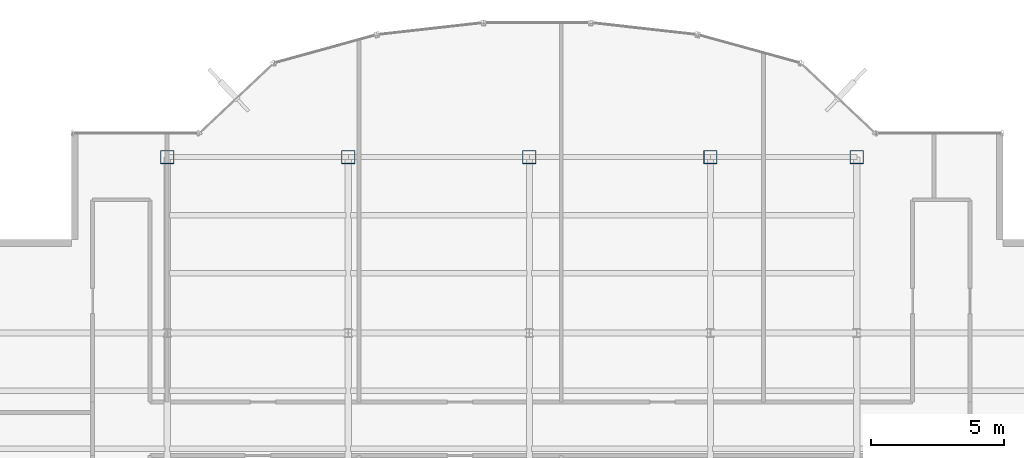
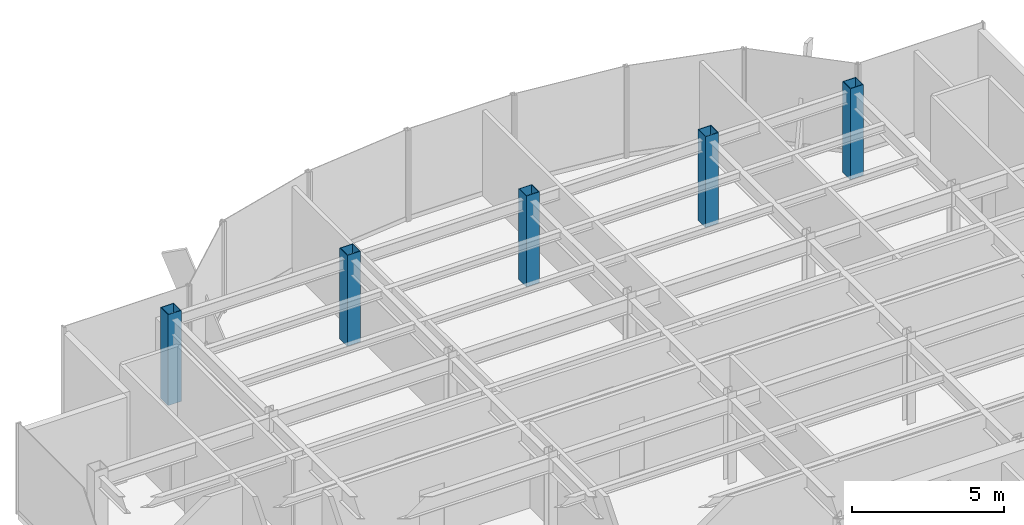
# One storey, part 2 of 22: 5 columns.
"""IFC4 building model written with IfcOpenShell, lengths in metres."""

import ifcopenshell
import ifcopenshell.guid

model = None  # the IFC model being written
_history = None  # IfcOwnerHistory: only IFC2X3 demands one
_inside = {}  # id of a spatial element -> (the spatial element, [elements in it])
_under = {}  # id of a project, library or spatial element -> (it, [spatial elements below it])
_declared = {}  # id of a project -> (the project, [libraries it declares])
_typed = {}  # id of a type object -> (the type object, [elements of that type])
_made_of = {}  # id of a material, layer set ... -> (it, [elements and type objects made of it])


def new_model(schema):
    """Start an empty IFC model of exactly this schema.

    Asked for "IFC4X3", IfcOpenShell would pick the latest addendum, in which some entities
    have other attributes; the version numbers below select the first issue.
    IFC2X3 requires an IfcOwnerHistory on every rooted entity: one is made here for all.
    """
    global model, _history
    if schema == "IFC4X3":
        model = ifcopenshell.file(schema_version=(4, 3, 0, 0))
    else:
        model = ifcopenshell.file(schema=schema)
    _inside.clear()
    _under.clear()
    _declared.clear()
    _typed.clear()
    _made_of.clear()
    _history = None
    if model.schema == "IFC2X3":
        org = make("IfcOrganization", Name="unknown")
        user = make(
            "IfcPersonAndOrganization",
            ThePerson=make("IfcPerson", FamilyName="unknown"),
            TheOrganization=org,
        )
        app = make(
            "IfcApplication",
            ApplicationDeveloper=org,
            Version="unknown",
            ApplicationFullName="unknown",
            ApplicationIdentifier="unknown",
        )
        _history = make(
            "IfcOwnerHistory",
            OwningUser=user,
            OwningApplication=app,
            ChangeAction="ADDED",
            CreationDate=0,
        )
    return model


def make(cls, **values):
    """One entity of the class cls with the attributes given. An attribute that is None is left unset."""
    return model.create_entity(
        cls, **{name: value for name, value in values.items() if value is not None}
    )


def rooted(cls, **values):
    """An entity with a GlobalId (a new one), such as an element, a storey or a relation."""
    return make(cls, GlobalId=ifcopenshell.guid.new(), OwnerHistory=_history, **values)


def si_unit(unit_type, name, prefix=None):
    """IfcSIUnit, for example si_unit("LENGTHUNIT", "METRE", prefix="MILLI")."""
    return make("IfcSIUnit", UnitType=unit_type, Prefix=prefix, Name=name)


def derived_unit(unit_type, elements):
    """IfcDerivedUnit: a product of units, each with its exponent."""
    return make(
        "IfcDerivedUnit",
        Elements=[
            make("IfcDerivedUnitElement", Unit=unit, Exponent=power)
            for unit, power in elements
        ],
        UnitType=unit_type,
    )


def assignment(units):
    """IfcUnitAssignment: the units of a project."""
    return None if units is None else make("IfcUnitAssignment", Units=units)


def point(xyz):
    """IfcCartesianPoint."""
    return None if xyz is None else make("IfcCartesianPoint", Coordinates=xyz)


def direction(xyz):
    """IfcDirection."""
    return None if xyz is None else make("IfcDirection", DirectionRatios=xyz)


def frame(location, z_axis=None, x_axis=None):
    """IfcAxis2Placement3D, a coordinate frame: its origin and axes. An axis left out is left unset."""
    return make(
        "IfcAxis2Placement3D",
        Location=point(location),
        Axis=direction(z_axis),
        RefDirection=direction(x_axis),
    )


def frame_2d(location, x_axis=None):
    """IfcAxis2Placement2D, a coordinate frame in the plane: its origin and x axis."""
    return make(
        "IfcAxis2Placement2D", Location=point(location), RefDirection=direction(x_axis)
    )


def origin():
    """The frame at (0, 0, 0) with its axes left unset."""
    return frame((0.0, 0.0, 0.0))


def origin_2d():
    """The frame at (0, 0) in the plane with its x axis left unset."""
    return frame_2d((0.0, 0.0))


def place(relative_to, where):
    """IfcLocalPlacement: puts the frame where relative to a parent placement (None: the world)."""
    return make(
        "IfcLocalPlacement", PlacementRelTo=relative_to, RelativePlacement=where
    )


def context(
    kind, dimensions, precision=None, world=None, true_north=None, identifier=None
):
    """IfcGeometricRepresentationContext, for example the 3D "Model" context."""
    return make(
        "IfcGeometricRepresentationContext",
        ContextIdentifier=identifier,
        ContextType=kind,
        CoordinateSpaceDimension=dimensions,
        Precision=precision,
        WorldCoordinateSystem=world,
        TrueNorth=true_north,
    )


def subcontext(parent, identifier, kind, view, scale=None):
    """IfcGeometricRepresentationSubContext, for example "Body" below "Model"."""
    return make(
        "IfcGeometricRepresentationSubContext",
        ContextIdentifier=identifier,
        ContextType=kind,
        ParentContext=parent,
        TargetScale=scale,
        TargetView=view,
    )


def project(units=None, contexts=None):
    """IfcProject with its units and contexts."""
    return rooted(
        "IfcProject",
        Name="project",
        RepresentationContexts=contexts,
        UnitsInContext=assignment(units),
    )


def spatial(cls, under=None, at=None, **own):
    """A site, building, storey or space (cls), placed at a placement, below another one or the project."""
    s = rooted(cls, ObjectPlacement=at, **own)
    if under is not None:
        _under.setdefault(under.id(), (under, []))[1].append(s)
    return s


def profile(cls, at=None, kind="AREA", **sizes):
    """A parametric profile (cls). Its sizes go by their IFC names, for example OverallWidth=200.0."""
    return make(cls, ProfileType=kind, Position=at, **sizes)


def hollow_rectangle(**sizes):
    """IfcRectangleHollowProfileDef."""
    return profile("IfcRectangleHollowProfileDef", **sizes)


def extrude(swept, where, along, depth):
    """IfcExtrudedAreaSolid: the profile swept, set in the frame where, extruded along a direction by depth."""
    return make(
        "IfcExtrudedAreaSolid",
        SweptArea=swept,
        Position=where,
        ExtrudedDirection=direction(along),
        Depth=depth,
    )


def shape(context_of_items, identifier, shape_type, items):
    """IfcShapeRepresentation: the items that make up one representation, for example the "Body"."""
    return make(
        "IfcShapeRepresentation",
        ContextOfItems=context_of_items,
        RepresentationIdentifier=identifier,
        RepresentationType=shape_type,
        Items=items,
    )


def source(mapping_origin, context_of_items, identifier, shape_type, items):
    """IfcRepresentationMap: a shape defined once, which mapped items show again and again."""
    return make(
        "IfcRepresentationMap",
        MappingOrigin=mapping_origin,
        MappedRepresentation=shape(context_of_items, identifier, shape_type, items),
    )


def transform(
    local_origin,
    x_axis=None,
    y_axis=None,
    z_axis=None,
    scale=None,
    scale2=None,
    scale3=None,
    uniform=True,
):
    """IfcCartesianTransformationOperator3D, or its non-uniform kind. x_axis, y_axis, z_axis: its Axis1, 2, 3."""
    if uniform:
        return make(
            "IfcCartesianTransformationOperator3D",
            Axis1=direction(x_axis),
            Axis2=direction(y_axis),
            LocalOrigin=point(local_origin),
            Scale=scale,
            Axis3=direction(z_axis),
        )
    return make(
        "IfcCartesianTransformationOperator3DnonUniform",
        Axis1=direction(x_axis),
        Axis2=direction(y_axis),
        LocalOrigin=point(local_origin),
        Scale=scale,
        Axis3=direction(z_axis),
        Scale2=scale2,
        Scale3=scale3,
    )


def mapped(mapping_source, mapping_target):
    """IfcMappedItem: shows the shape of a source again, moved by a transform."""
    return make(
        "IfcMappedItem", MappingSource=mapping_source, MappingTarget=mapping_target
    )


def material(Name=None, Category=None):
    """IfcMaterial."""
    return make("IfcMaterial", Name=Name, Category=Category)


def material_profile(
    of_material, cross_section, Name=None, Category=None, Priority=None
):
    """IfcMaterialProfile: a cross section and its material."""
    return make(
        "IfcMaterialProfile",
        Name=Name,
        Material=of_material,
        Profile=cross_section,
        Priority=Priority,
        Category=Category,
    )


def profile_set(profiles, Name=None, composite=None):
    """IfcMaterialProfileSet."""
    return make(
        "IfcMaterialProfileSet",
        Name=Name,
        MaterialProfiles=profiles,
        CompositeProfile=composite,
    )


def made_of(thing, what):
    """Note that an element or type object is made of a material, layer set ...; save() writes the relation."""
    if what is not None:
        _made_of.setdefault(what.id(), (what, []))[1].append(thing)
    return thing


def type_object(cls, material=None, **own):
    """A type object (cls), such as IfcWallType, which elements share."""
    return made_of(rooted(cls, **own), material)


def element(
    cls,
    number,
    at=None,
    inside=None,
    cuts=None,
    type_object=None,
    material=None,
    context=None,
    identifier="Body",
    shape_type=None,
    held_by="IfcProductDefinitionShape",
    body=None,
    shapes=None,
    **own,
):
    """One element of the class cls, such as IfcWall. Its Tag is "e" and its number.

    at: its placement. inside: the storey or other place that contains it. cuts: it is an
    opening in that element (IfcRelVoidsElement). A single representation is given by context,
    identifier, shape_type and body (its items); several are given by shapes. held_by: the class
    of the entity that holds the representations. save() writes the other relations.
    """
    e = rooted(cls, Tag="e%d" % number, ObjectPlacement=at, **own)
    if body is not None:
        shapes = [shape(context, identifier, shape_type, body)]
    if shapes is not None:
        e.Representation = make(held_by, Representations=shapes)
    if inside is not None:
        _inside.setdefault(inside.id(), (inside, []))[1].append(e)
    if cuts is not None:
        rooted(
            "IfcRelVoidsElement", RelatingBuildingElement=cuts, RelatedOpeningElement=e
        )
    if type_object is not None:
        _typed.setdefault(type_object.id(), (type_object, []))[1].append(e)
    return made_of(e, material)


def aggregate(whole, parts):
    """IfcRelAggregates: a whole, such as a stair, and the parts it consists of."""
    return rooted("IfcRelAggregates", RelatingObject=whole, RelatedObjects=parts)


def save(model, path):
    """Write the relations noted so far, then the file.

    IfcRelAggregates (storeys below a building ...), IfcRelContainedInSpatialStructure (elements
    in a storey), IfcRelDefinesByType, IfcRelAssociatesMaterial and IfcRelDeclares: one each for
    every whole, place, type object, material and project.
    """
    for whole, parts in _under.values():
        aggregate(whole, parts)
    for where, things in _inside.values():
        rooted(
            "IfcRelContainedInSpatialStructure",
            RelatedElements=things,
            RelatingStructure=where,
        )
    for kind, things in _typed.values():
        rooted("IfcRelDefinesByType", RelatedObjects=things, RelatingType=kind)
    for what, things in _made_of.values():
        rooted("IfcRelAssociatesMaterial", RelatedObjects=things, RelatingMaterial=what)
    for by, libraries in _declared.values():
        rooted("IfcRelDeclares", RelatingContext=by, RelatedDefinitions=libraries)
    model.write(path)


model = new_model("IFC4")

# Units and contexts
model_context = context("Model", 3, precision=1e-05, world=origin(), true_north=direction((0.0, 1.0)))
body_context = subcontext(model_context, "Body", "Model", "MODEL_VIEW")
ifc_project = project(units=[si_unit("LENGTHUNIT", "METRE"), si_unit("AREAUNIT", "SQUARE_METRE"), si_unit("VOLUMEUNIT", "CUBIC_METRE"), si_unit("PLANEANGLEUNIT", "RADIAN"), si_unit("MASSUNIT", "GRAM", prefix="KILO"), derived_unit("THERMALTRANSMITTANCEUNIT", [(si_unit("POWERUNIT", "WATT"), 1), (si_unit("LENGTHUNIT", "METRE"), -2), (si_unit("THERMODYNAMICTEMPERATUREUNIT", "KELVIN"), -1)])], contexts=[model_context])

# Site, building, storey
site_placement = place(None, origin())
site = spatial("IfcSite", under=ifc_project, at=site_placement, CompositionType="ELEMENT")
building_placement = place(site_placement, origin())
building = spatial("IfcBuilding", under=site, at=building_placement, Name="Skarnbrae Concourse Arena and Tower", CompositionType="ELEMENT")
storey_placement = place(building_placement, frame((0.0, 0.0, 251.5)))
storey = spatial("IfcBuildingStorey", under=building, at=storey_placement, Name="L65", CompositionType="ELEMENT", Elevation=251.5)

# Columns
ifc_material = material(Name="Steel CSA G40.21 350W", Category="steel")
ifc_material_profile = material_profile(ifc_material, hollow_rectangle(XDim=0.5, YDim=0.5, WallThickness=0.02197265625, at=origin_2d()), Name="HSS500X500X22.0")
ifc_profile_set = profile_set([ifc_material_profile], Name="Steel CSA G40.21 350W")
column_type = type_object("IfcColumnType", Name="COL-TUBE-HSS500", PredefinedType="COLUMN", material=ifc_profile_set)
shared_shape = source(origin(), body_context, "Body", "SweptSolid", [
    extrude(hollow_rectangle(XDim=0.5, YDim=0.5, WallThickness=0.02197265625, at=origin_2d()), origin(), (0.0, 0.0, 1.0), 3.64990234375),
])
for number, where, z_axis, x_axis, name in (
    (1, (7.60009765625, 34.39990234375, 0.0), (0.0, 0.0, 1.0), (1.0, 0.0, 0.0), "L65 Tower column PC_02_05"),
    (2, (14.39990234375, 34.39990234375, 0.0), (0.0, 0.0, 1.0), (1.0, 0.0, 0.0), "L65 Tower column PC_03_05"),
    (3, (21.199951171875, 34.39990234375, 0.0), (0.0, 0.0, 1.0), (1.0, 0.0, 0.0), "L65 Tower column PC_04_05"),
    (4, (28.0, 34.39990234375, 0.0), (0.0, 0.0, 1.0), (1.0, 0.0, 0.0), "L65 Tower column PC_05_05"),
    (5, (33.5, 34.39990234375, 0.0), (0.0, 0.0, 1.0), (1.0, 0.0, 0.0), "L65 Tower column PC_06_05"),
):
    element("IfcColumn", number, at=place(storey_placement, frame(where, z_axis=z_axis, x_axis=x_axis)), inside=storey, type_object=column_type, Name=name, PredefinedType="COLUMN", context=body_context, shape_type="MappedRepresentation", body=[
        mapped(shared_shape, transform((0.0, 0.0, 0.0))),
    ])

save(model, "model.ifc")
